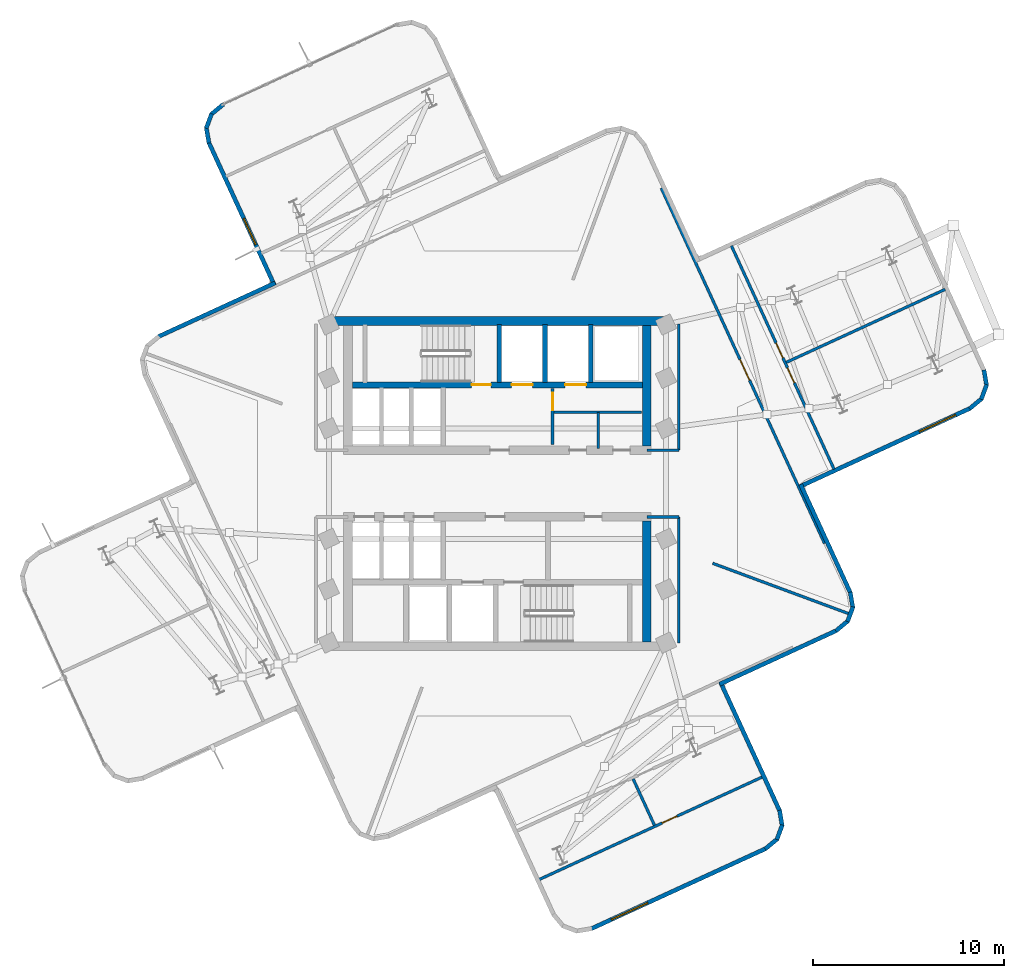
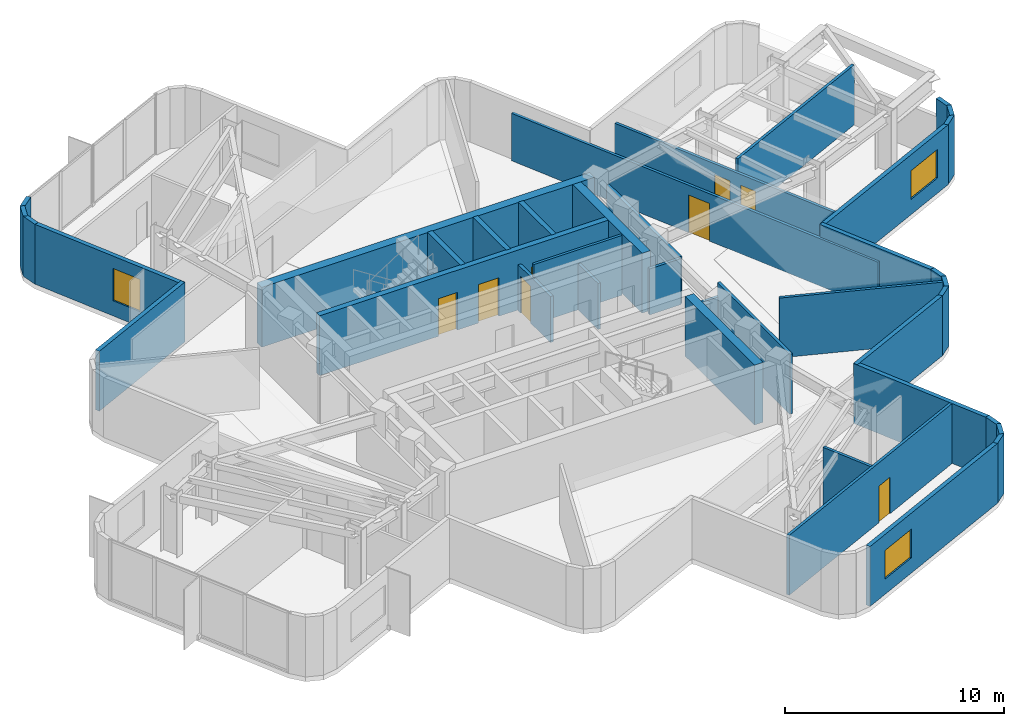
# One storey, part 7 of 11: 39 walls, 8 doors, 3 windows, 11 openings.
"""IFC4 building model written with IfcOpenShell, lengths in metres."""

from ifc_helpers import new_model, si_unit, direction, frame, frame_2d, origin, place, context, subcontext, project, spatial, rectangle, extrude, material, layer, layer_set, type_object, element, fill, save


model = new_model("IFC4")

# Units and contexts
model_context = context("Model", 3, precision=1e-05, world=origin(), true_north=direction((0.0, 1.0)))
body_context = subcontext(model_context, "Body", "Model", "MODEL_VIEW")
ifc_project = project(units=[si_unit("LENGTHUNIT", "METRE"), si_unit("AREAUNIT", "SQUARE_METRE"), si_unit("VOLUMEUNIT", "CUBIC_METRE"), si_unit("PLANEANGLEUNIT", "RADIAN"), si_unit("MASSUNIT", "GRAM", prefix="KILO")], contexts=[model_context])

# Site, building, storey
site_placement = place(None, origin())
site = spatial("IfcSite", under=ifc_project, at=site_placement, CompositionType="ELEMENT")
building_placement = place(site_placement, origin())
building = spatial("IfcBuilding", under=site, at=building_placement, Name="Solmarez Civic Tower", CompositionType="ELEMENT")
storey_placement = place(building_placement, frame((0.0, 0.0, 184.679931640625)))
storey = spatial("IfcBuildingStorey", under=building, at=storey_placement, Name="L49", CompositionType="ELEMENT", Elevation=184.679931640625)

# Walls
ifc_material_1 = material(Name="Concrete C50/60", Category="concrete")
ifc_layer_1 = layer(ifc_material_1, 0.449951171875)
ifc_layer_set_1 = layer_set([ifc_layer_1], Name="Concrete C50/60")
wall_type_1 = type_object("IfcWallType", Name="WALL-CORE-450", PredefinedType="SHEAR", material=ifc_layer_set_1)
wall_1_placement = place(storey_placement, frame((-8.780029296875, 8.534912109375, 0.0), z_axis=(0.0, 0.0, 1.0), x_axis=(1.0, 0.0, 0.0)))
element("IfcWall", 1, at=wall_1_placement, inside=storey, type_object=wall_type_1, Name="L49 Split-Core Structural Wall NCW-N-L49", PredefinedType="SHEAR", context=body_context, shape_type="SweptSolid", body=[
    extrude(rectangle(XDim=17.56005859375, YDim=0.449951171875, at=frame_2d((8.780029296875, 0.0))), origin(), (0.0, 0.0, 1.0), 3.340087890625),
])
for number, where, z_axis, x_axis, name in (
    (2, (7.844970703125, 8.31005859375, 0.0), (0.0, 0.0, 1.0), (0.0, -1.0, 0.0), "L49 Split-Core Structural Wall NCW-E-L49"),
    (3, (7.844970703125, -1.97509765625, 0.0), (0.0, 0.0, 1.0), (0.0, -1.0, 0.0), "L49 Split-Core Structural Wall SCW-E-L49"),
):
    element("IfcWall", number, at=place(storey_placement, frame(where, z_axis=z_axis, x_axis=x_axis)), inside=storey, type_object=wall_type_1, Name=name, PredefinedType="SHEAR", context=body_context, shape_type="SweptSolid", body=[
        extrude(rectangle(XDim=6.3349609375, YDim=0.449951171875, at=frame_2d((3.16748046875, 0.0))), origin(), (0.0, 0.0, 1.0), 3.340087890625),
    ])
ifc_material_2 = material(Name="Precast concrete C40/50", Category="concrete")
ifc_layer_2 = layer(ifc_material_2, 0.219970703125)
ifc_layer_set_2 = layer_set([ifc_layer_2], Name="Precast concrete C40/50")
wall_type_2 = type_object("IfcWallType", Name="WALL-EXT-220", PredefinedType="SOLIDWALL", material=ifc_layer_set_2)
wall_2_placement = place(storey_placement, frame((-17.805908203125, 7.7099609375, 0.0), z_axis=(0.0, 0.0, 1.0), x_axis=(0.908646468859, 0.417566275734, 0.0)))
element("IfcWall", 4, at=wall_2_placement, inside=storey, type_object=wall_type_2, Name="L49 Exterior Precast Wall 17", PredefinedType="SOLIDWALL", context=body_context, shape_type="SweptSolid", body=[
    extrude(rectangle(XDim=6.75830078125, YDim=0.219970703125, at=frame_2d((3.379150390625, 0.0))), origin(), (0.0, 0.0, 1.0), 3.340087890625),
])

# Wall, opening, window
wall_3_placement = place(storey_placement, frame((-11.7080078125, 10.4150390625, 0.0), z_axis=(0.0, 0.0, 1.0), x_axis=(-0.417525901293, 0.908665021748, 0.0)))
wall_3 = element("IfcWall", 5, at=wall_3_placement, inside=storey, type_object=wall_type_2, Name="L49 Exterior Precast Wall 20", PredefinedType="SOLIDWALL", context=body_context, shape_type="SweptSolid", body=[
    extrude(rectangle(XDim=8.258056640625, YDim=0.219970703125, at=frame_2d((4.12890625, 0.0))), origin(), (0.0, 0.0, 1.0), 3.340087890625),
])
opening_1_placement = place(wall_3_placement, frame((2.35009765625, 0.0, 0.85009765625)))
opening_1 = element("IfcOpeningElement", 6, at=opening_1_placement, cuts=wall_3, Name="Opening W-13", PredefinedType="OPENING", context=body_context, shape_type="SweptSolid", body=[
    extrude(rectangle(XDim=1.5, YDim=1.800048828125, at=frame_2d((0.75, 0.89990234375))), frame((0.0, 0.119873046875, 0.0), z_axis=(0.0, -1.0, 0.0), x_axis=(1.0, 0.0, 0.0)), (0.0, 0.0, 1.0), 0.239990234375),
])
ifc_material_3 = material(Name="Solar Control Bronze-Tinted Insulating Glass", Category="glass")
window_type_1 = type_object("IfcWindowType", Name="WIN-1500X1800", PartitioningType="SINGLE_PANEL", PredefinedType="WINDOW", material=ifc_material_3)
window_1_placement = place(opening_1_placement, origin())
window_1 = element("IfcWindow", 7, at=window_1_placement, inside=storey, type_object=window_type_1, Name="L49 Exterior Facade Window 20", OverallHeight=1.800048828125, OverallWidth=1.5, PartitioningType="SINGLE_PANEL", PredefinedType="WINDOW", context=body_context, shape_type="SweptSolid", body=[
    extrude(rectangle(XDim=1.5, YDim=1.800048828125, at=frame_2d((0.75, 0.89990234375))), frame((0.0, 0.030029296875, 0.0), z_axis=(0.0, -1.0, 0.0), x_axis=(1.0, 0.0, 0.0)), (0.0, 0.0, 1.0), 0.06005859375),
])
fill(opening_1, window_1)

# Walls
wall_4_placement = place(storey_placement, frame((-15.14208984375, 17.87109375, 0.0), z_axis=(0.0, 0.0, 1.0), x_axis=(-0.167575597201, 0.985859228908, 0.0)))
element("IfcWall", 8, at=wall_4_placement, inside=storey, type_object=wall_type_2, Name="L49 Exterior Precast Wall 21", PredefinedType="SOLIDWALL", context=body_context, shape_type="SweptSolid", body=[
    extrude(rectangle(XDim=0.834716796875, YDim=0.219970703125, at=frame_2d((0.41748046875, 0.0))), origin(), (0.0, 0.0, 1.0), 3.340087890625),
])
wall_5_placement = place(storey_placement, frame((-15.287109375, 18.64599609375, 0.0), z_axis=(0.0, 0.0, 1.0), x_axis=(0.348051853522, 0.937475283546, 0.0)))
element("IfcWall", 9, at=wall_5_placement, inside=storey, type_object=wall_type_2, Name="L49 Exterior Precast Wall 22", PredefinedType="SOLIDWALL", context=body_context, shape_type="SweptSolid", body=[
    extrude(rectangle(XDim=0.8193359375, YDim=0.219970703125, at=frame_2d((0.40966796875, 0.0))), origin(), (0.0, 0.0, 1.0), 3.340087890625),
])
wall_6_placement = place(storey_placement, frame((-15.030029296875, 19.375, 0.0), z_axis=(0.0, 0.0, 1.0), x_axis=(0.770042109777, 0.637993063576, 0.0)))
element("IfcWall", 10, at=wall_6_placement, inside=storey, type_object=wall_type_2, Name="L49 Exterior Precast Wall 23", PredefinedType="SOLIDWALL", context=body_context, shape_type="SweptSolid", body=[
    extrude(rectangle(XDim=0.833740234375, YDim=0.219970703125, at=frame_2d((0.4169921875, 0.0))), origin(), (0.0, 0.0, 1.0), 3.340087890625),
])
wall_7_placement = place(storey_placement, frame((25.5380859375, 5.967041015625, 0.0), z_axis=(0.0, 0.0, 1.0), x_axis=(0.167575597201, -0.985859228908, 0.0)))
element("IfcWall", 11, at=wall_7_placement, inside=storey, type_object=wall_type_2, Name="L49 Exterior Precast Wall 43", PredefinedType="SOLIDWALL", context=body_context, shape_type="SweptSolid", body=[
    extrude(rectangle(XDim=0.834716796875, YDim=0.219970703125, at=frame_2d((0.41748046875, 0.0))), origin(), (0.0, 0.0, 1.0), 3.340087890625),
])
wall_8_placement = place(storey_placement, frame((25.68310546875, 5.19189453125, 0.0), z_axis=(0.0, 0.0, 1.0), x_axis=(-0.348538641681, -0.937294412261, 0.0)))
element("IfcWall", 12, at=wall_8_placement, inside=storey, type_object=wall_type_2, Name="L49 Exterior Precast Wall 44", PredefinedType="SOLIDWALL", context=body_context, shape_type="SweptSolid", body=[
    extrude(rectangle(XDim=0.818115234375, YDim=0.219970703125, at=frame_2d((0.4091796875, 0.0))), origin(), (0.0, 0.0, 1.0), 3.340087890625),
])
wall_9_placement = place(storey_placement, frame((25.426025390625, 4.464111328125, 0.0), z_axis=(0.0, 0.0, 1.0), x_axis=(-0.769323077261, -0.638859924235, 0.0)))
element("IfcWall", 13, at=wall_9_placement, inside=storey, type_object=wall_type_2, Name="L49 Exterior Precast Wall 45", PredefinedType="SOLIDWALL", context=body_context, shape_type="SweptSolid", body=[
    extrude(rectangle(XDim=0.834716796875, YDim=0.219970703125, at=frame_2d((0.41748046875, 0.0))), origin(), (0.0, 0.0, 1.0), 3.340087890625),
])

# Wall, opening, window
wall_10_placement = place(storey_placement, frame((24.825927734375, 3.95703125, 0.0), z_axis=(0.0, 0.0, 1.0), x_axis=(-0.908672019386, -0.41751067194, 0.0)))
wall_10 = element("IfcWall", 14, at=wall_10_placement, inside=storey, type_object=wall_type_2, Name="L49 Exterior Precast Wall 46", PredefinedType="SOLIDWALL", context=body_context, shape_type="SweptSolid", body=[
    extrude(rectangle(XDim=9.8583984375, YDim=0.219970703125, at=frame_2d((4.92919921875, 0.0))), origin(), (0.0, 0.0, 1.0), 3.340087890625),
])
opening_2_placement = place(wall_10_placement, frame((0.85009765625, 0.0, 0.85009765625)))
opening_2 = element("IfcOpeningElement", 15, at=opening_2_placement, cuts=wall_10, Name="Opening W-11", PredefinedType="OPENING", context=body_context, shape_type="SweptSolid", body=[
    extrude(rectangle(XDim=2.10009765625, YDim=1.60009765625, at=frame_2d((1.050048828125, 0.800048828125))), frame((0.0, 0.119873046875, 0.0), z_axis=(0.0, -1.0, 0.0), x_axis=(1.0, 0.0, 0.0)), (0.0, 0.0, 1.0), 0.239990234375),
])
window_type_2 = type_object("IfcWindowType", Name="WIN-2100X1600", PartitioningType="SINGLE_PANEL", PredefinedType="WINDOW", material=ifc_material_3)
window_2_placement = place(opening_2_placement, origin())
window_2 = element("IfcWindow", 16, at=window_2_placement, inside=storey, type_object=window_type_2, Name="L49 Exterior Facade Window 46", OverallHeight=1.60009765625, OverallWidth=2.10009765625, PartitioningType="SINGLE_PANEL", PredefinedType="WINDOW", context=body_context, shape_type="SweptSolid", body=[
    extrude(rectangle(XDim=2.10009765625, YDim=1.60009765625, at=frame_2d((1.050048828125, 0.800048828125))), frame((0.0, 0.030029296875, 0.0), z_axis=(0.0, -1.0, 0.0), x_axis=(1.0, 0.0, 0.0)), (0.0, 0.0, 1.0), 0.06005859375),
])
fill(opening_2, window_2)

# Walls
wall_11_placement = place(storey_placement, frame((15.910888671875, -0.0419921875, 0.0), z_axis=(0.0, 0.0, 1.0), x_axis=(0.417479344719, -0.908686412759, 0.0)))
element("IfcWall", 17, at=wall_11_placement, inside=storey, type_object=wall_type_2, Name="L49 Exterior Precast Wall 49", PredefinedType="SOLIDWALL", context=body_context, shape_type="SweptSolid", body=[
    extrude(rectangle(XDim=6.2783203125, YDim=0.219970703125, at=frame_2d((3.13916015625, 0.0))), origin(), (0.0, 0.0, 1.0), 3.340087890625),
])
wall_12_placement = place(storey_placement, frame((18.51806640625, -5.698974609375, 0.0), z_axis=(0.0, 0.0, 1.0), x_axis=(0.167382556682, -0.985892022342, 0.0)))
element("IfcWall", 18, at=wall_12_placement, inside=storey, type_object=wall_type_2, Name="L49 Exterior Precast Wall 50", PredefinedType="SOLIDWALL", context=body_context, shape_type="SweptSolid", body=[
    extrude(rectangle(XDim=0.835693359375, YDim=0.219970703125, at=frame_2d((0.41796875, 0.0))), origin(), (0.0, 0.0, 1.0), 3.340087890625),
])
wall_13_placement = place(storey_placement, frame((18.6630859375, -6.47509765625, 0.0), z_axis=(0.0, 0.0, 1.0), x_axis=(-0.348538641681, -0.937294412261, 0.0)))
element("IfcWall", 19, at=wall_13_placement, inside=storey, type_object=wall_type_2, Name="L49 Exterior Precast Wall 51", PredefinedType="SOLIDWALL", context=body_context, shape_type="SweptSolid", body=[
    extrude(rectangle(XDim=0.818115234375, YDim=0.219970703125, at=frame_2d((0.4091796875, 0.0))), origin(), (0.0, 0.0, 1.0), 3.340087890625),
])
wall_14_placement = place(storey_placement, frame((18.406005859375, -7.202880859375, 0.0), z_axis=(0.0, 0.0, 1.0), x_axis=(-0.769323077261, -0.638859924235, 0.0)))
element("IfcWall", 20, at=wall_14_placement, inside=storey, type_object=wall_type_2, Name="L49 Exterior Precast Wall 52", PredefinedType="SOLIDWALL", context=body_context, shape_type="SweptSolid", body=[
    extrude(rectangle(XDim=0.834716796875, YDim=0.219970703125, at=frame_2d((0.41748046875, 0.0))), origin(), (0.0, 0.0, 1.0), 3.340087890625),
])
wall_15_placement = place(storey_placement, frame((17.805908203125, -7.7099609375, 0.0), z_axis=(0.0, 0.0, 1.0), x_axis=(-0.908646468859, -0.417566275734, 0.0)))
element("IfcWall", 21, at=wall_15_placement, inside=storey, type_object=wall_type_2, Name="L49 Exterior Precast Wall 53", PredefinedType="SOLIDWALL", context=body_context, shape_type="SweptSolid", body=[
    extrude(rectangle(XDim=6.75830078125, YDim=0.219970703125, at=frame_2d((3.379150390625, 0.0))), origin(), (0.0, 0.0, 1.0), 3.340087890625),
])
wall_16_placement = place(storey_placement, frame((11.7080078125, -10.4150390625, 0.0), z_axis=(0.0, 0.0, 1.0), x_axis=(0.417535966584, -0.908660396743, 0.0)))
element("IfcWall", 22, at=wall_16_placement, inside=storey, type_object=wall_type_2, Name="L49 Exterior Precast Wall 56", PredefinedType="SOLIDWALL", context=body_context, shape_type="SweptSolid", body=[
    extrude(rectangle(XDim=7.4580078125, YDim=0.219970703125, at=frame_2d((3.72900390625, 0.0))), origin(), (0.0, 0.0, 1.0), 3.340087890625),
])
wall_17_placement = place(storey_placement, frame((14.80810546875, -17.14404296875, 0.0), z_axis=(0.0, 0.0, 1.0), x_axis=(0.167575597201, -0.985859228908, 0.0)))
element("IfcWall", 23, at=wall_17_placement, inside=storey, type_object=wall_type_2, Name="L49 Exterior Precast Wall 57", PredefinedType="SOLIDWALL", context=body_context, shape_type="SweptSolid", body=[
    extrude(rectangle(XDim=0.834716796875, YDim=0.219970703125, at=frame_2d((0.41748046875, 0.0))), origin(), (0.0, 0.0, 1.0), 3.340087890625),
])
wall_18_placement = place(storey_placement, frame((14.952880859375, -17.9189453125, 0.0), z_axis=(0.0, 0.0, 1.0), x_axis=(-0.347789921671, -0.937572488069, 0.0)))
element("IfcWall", 24, at=wall_18_placement, inside=storey, type_object=wall_type_2, Name="L49 Exterior Precast Wall 58", PredefinedType="SOLIDWALL", context=body_context, shape_type="SweptSolid", body=[
    extrude(rectangle(XDim=0.819091796875, YDim=0.219970703125, at=frame_2d((0.40966796875, 0.0))), origin(), (0.0, 0.0, 1.0), 3.340087890625),
])
wall_19_placement = place(storey_placement, frame((14.696044921875, -18.64794921875, 0.0), z_axis=(0.0, 0.0, 1.0), x_axis=(-0.770042109777, -0.637993063576, 0.0)))
element("IfcWall", 25, at=wall_19_placement, inside=storey, type_object=wall_type_2, Name="L49 Exterior Precast Wall 59", PredefinedType="SOLIDWALL", context=body_context, shape_type="SweptSolid", body=[
    extrude(rectangle(XDim=0.833740234375, YDim=0.219970703125, at=frame_2d((0.4169921875, 0.0))), origin(), (0.0, 0.0, 1.0), 3.340087890625),
])

# Wall, opening, window
wall_20_placement = place(storey_placement, frame((14.095947265625, -19.154052734375, 0.0), z_axis=(0.0, 0.0, 1.0), x_axis=(-0.90868873868, -0.417474282076, 0.0)))
wall_20 = element("IfcWall", 26, at=wall_20_placement, inside=storey, type_object=wall_type_2, Name="L49 Exterior Precast Wall 60", PredefinedType="SOLIDWALL", context=body_context, shape_type="SweptSolid", body=[
    extrude(rectangle(XDim=10.101318359375, YDim=0.219970703125, at=frame_2d((5.05078125, 0.0))), origin(), (0.0, 0.0, 1.0), 3.340087890625),
])
opening_3_placement = place(wall_20_placement, frame((6.8291015625, 0.0, 0.85009765625)))
opening_3 = element("IfcOpeningElement", 27, at=opening_3_placement, cuts=wall_20, Name="Opening W-11", PredefinedType="OPENING", context=body_context, shape_type="SweptSolid", body=[
    extrude(rectangle(XDim=2.10009765625, YDim=1.60009765625, at=frame_2d((1.050048828125, 0.800048828125))), frame((0.0, 0.119873046875, 0.0), z_axis=(0.0, -1.0, 0.0), x_axis=(1.0, 0.0, 0.0)), (0.0, 0.0, 1.0), 0.239990234375),
])
window_3_placement = place(opening_3_placement, origin())
window_3 = element("IfcWindow", 28, at=window_3_placement, inside=storey, type_object=window_type_2, Name="L49 Exterior Facade Window 60", OverallHeight=1.60009765625, OverallWidth=2.10009765625, PartitioningType="SINGLE_PANEL", PredefinedType="WINDOW", context=body_context, shape_type="SweptSolid", body=[
    extrude(rectangle(XDim=2.10009765625, YDim=1.60009765625, at=frame_2d((1.050048828125, 0.800048828125))), frame((0.0, 0.030029296875, 0.0), z_axis=(0.0, -1.0, 0.0), x_axis=(1.0, 0.0, 0.0)), (0.0, 0.0, 1.0), 0.06005859375),
])
fill(opening_3, window_3)

# Walls
ifc_material_4 = material(Name="Gypsum Board Acoustic Steel-Stud Partition", Category="steel")
ifc_layer_3 = layer(ifc_material_4, 0.14990234375)
ifc_layer_set_3 = layer_set([ifc_layer_3], Name="Gypsum Board Acoustic Steel-Stud Partition")
wall_type_3 = type_object("IfcWallType", Name="WALL-INT-FIRE-150", PredefinedType="PARTITIONING", material=ifc_layer_set_3)
wall_21_placement = place(storey_placement, frame((9.52001953125, 1.75, 0.0), z_axis=(0.0, 0.0, 1.0), x_axis=(0.0, 1.0, 0.0)))
element("IfcWall", 29, at=wall_21_placement, inside=storey, type_object=wall_type_3, Name="L49 Interior Partition CHW-L49-EN1", PredefinedType="PARTITIONING", context=body_context, shape_type="SweptSolid", body=[
    extrude(rectangle(XDim=6.6298828125, YDim=0.14990234375, at=frame_2d((3.31494140625, 0.0))), origin(), (0.0, 0.0, 1.0), 2.64404296875),
])
wall_22_placement = place(storey_placement, frame((7.85009765625, 1.75, 0.0), z_axis=(0.0, 0.0, 1.0), x_axis=(1.0, 0.0, 0.0)))
element("IfcWall", 30, at=wall_22_placement, inside=storey, type_object=wall_type_3, Name="L49 Interior Partition CHW-L49-EN3", PredefinedType="PARTITIONING", context=body_context, shape_type="SweptSolid", body=[
    extrude(rectangle(XDim=1.669921875, YDim=0.14990234375, at=frame_2d((0.8349609375, 0.0))), origin(), (0.0, 0.0, 1.0), 2.570068359375),
])
wall_23_placement = place(storey_placement, frame((9.52001953125, -8.3798828125, 0.0), z_axis=(0.0, 0.0, 1.0), x_axis=(0.0, 1.0, 0.0)))
element("IfcWall", 31, at=wall_23_placement, inside=storey, type_object=wall_type_3, Name="L49 Interior Partition CHW-L49-ES1", PredefinedType="PARTITIONING", context=body_context, shape_type="SweptSolid", body=[
    extrude(rectangle(XDim=6.6298828125, YDim=0.14990234375, at=frame_2d((3.31494140625, 0.0))), origin(), (0.0, 0.0, 1.0), 3.340087890625),
])
wall_24_placement = place(storey_placement, frame((7.85009765625, -1.75, 0.0), z_axis=(0.0, 0.0, 1.0), x_axis=(1.0, 0.0, 0.0)))
element("IfcWall", 32, at=wall_24_placement, inside=storey, type_object=wall_type_3, Name="L49 Interior Partition CHW-L49-ES3", PredefinedType="PARTITIONING", context=body_context, shape_type="SweptSolid", body=[
    extrude(rectangle(XDim=1.669921875, YDim=0.14990234375, at=frame_2d((0.8349609375, 0.0))), origin(), (0.0, 0.0, 1.0), 2.570068359375),
])
ifc_layer_4 = layer(ifc_material_4, 0.14501953125)
ifc_layer_set_4 = layer_set([ifc_layer_4], Name="Gypsum Board Acoustic Steel-Stud Partition")
wall_type_4 = type_object("IfcWallType", Name="WALL-INT-PART-150", PredefinedType="PARTITIONING", material=ifc_layer_set_4)
wall_25_placement = place(storey_placement, frame((11.300048828125, -4.18505859375, 0.0), z_axis=(0.0, 0.0, 1.0), x_axis=(0.937797421925, -0.347182942311, 0.0)))
element("IfcWall", 33, at=wall_25_placement, inside=storey, type_object=wall_type_4, Name="L49 Interior Partition PT-L49-QDIV-4", PredefinedType="PARTITIONING", context=body_context, shape_type="SweptSolid", body=[
    extrude(rectangle(XDim=7.6240234375, YDim=0.14501953125, at=frame_2d((3.81201171875, 0.0))), origin(), (0.0, 0.0, 1.0), 3.340087890625),
])

# Wall, opening, door
wall_26_placement = place(storey_placement, frame((8.60009765625, 15.508056640625, 0.0), z_axis=(0.0, 0.0, 1.0), x_axis=(0.41757132443, -0.908644148726, 0.0)))
wall_26 = element("IfcWall", 34, at=wall_26_placement, inside=storey, type_object=wall_type_4, Name="L49 Interior Partition PT-L49-E-ENT", PredefinedType="PARTITIONING", context=body_context, shape_type="SweptSolid", body=[
    extrude(rectangle(XDim=20.520751953125, YDim=0.14501953125, at=frame_2d((10.26025390625, 0.0))), origin(), (0.0, 0.0, 1.0), 2.64404296875),
])
opening_4_placement = place(wall_26_placement, frame((9.89990234375, 0.0, 0.0)))
opening_4 = element("IfcOpeningElement", 35, at=opening_4_placement, cuts=wall_26, Name="Opening D-11", PredefinedType="OPENING", context=body_context, shape_type="SweptSolid", body=[
    extrude(rectangle(XDim=1.199951171875, YDim=2.10009765625, at=frame_2d((0.60009765625, 1.050048828125))), frame((0.0, 0.08251953125, 0.0), z_axis=(0.0, -1.0, 0.0), x_axis=(1.0, 0.0, 0.0)), (0.0, 0.0, 1.0), 0.1650390625),
])
ifc_material_5 = material(Name="Glazed-Vision Acoustic Chamber Door", Category="wood")
door_type_1 = type_object("IfcDoorType", Name="DOOR-INT-1200", OperationType="NOTDEFINED", PredefinedType="DOOR", material=ifc_material_5)
door_1_placement = place(opening_4_placement, origin())
door_1 = element("IfcDoor", 36, at=door_1_placement, inside=storey, type_object=door_type_1, Name="L49 Tribunal Chamber Public Exhibition Library First East Door", OperationType="SINGLE_SWING_LEFT", OverallHeight=2.10009765625, OverallWidth=1.199951171875, PredefinedType="DOOR", context=body_context, shape_type="SweptSolid", body=[
    extrude(rectangle(XDim=1.199951171875, YDim=2.10009765625, at=frame_2d((0.60009765625, 1.050048828125))), frame((0.0, 0.02490234375, 0.0), z_axis=(0.0, -1.0, 0.0), x_axis=(1.0, 0.0, 0.0)), (0.0, 0.0, 1.0), 0.050048828125),
])
fill(opening_4, door_1)

# Wall
wall_27_placement = place(storey_placement, frame((15.158935546875, 6.361083984375, 0.0), z_axis=(0.0, 0.0, 1.0), x_axis=(0.908662943876, 0.417530423355, 0.0)))
element("IfcWall", 37, at=wall_27_placement, inside=storey, type_object=wall_type_4, Name="L49 Interior Partition PT-L49-E-TSP", PredefinedType="PARTITIONING", context=body_context, shape_type="SweptSolid", body=[
    extrude(rectangle(XDim=9.184814453125, YDim=0.14501953125, at=frame_2d((4.59228515625, 0.0))), origin(), (0.0, 0.0, 1.0), 3.340087890625),
])

# Wall, openings, doors
wall_28_placement = place(storey_placement, frame((17.669921875, 0.751953125, 0.0), z_axis=(0.0, 0.0, 1.0), x_axis=(-0.41749974953, 0.908677037864, 0.0)))
wall_28 = element("IfcWall", 38, at=wall_28_placement, inside=storey, type_object=wall_type_4, Name="L49 Interior Partition PT-L49-E-SCUT", PredefinedType="PARTITIONING", context=body_context, shape_type="SweptSolid", body=[
    extrude(rectangle(XDim=12.909912109375, YDim=0.14501953125, at=frame_2d((6.455078125, 0.0))), origin(), (0.0, 0.0, 1.0), 2.64404296875),
])
opening_5_placement = place(wall_28_placement, frame((4.9951171875, 0.0, 0.0)))
opening_5 = element("IfcOpeningElement", 39, at=opening_5_placement, cuts=wall_28, Name="Opening D-14", PredefinedType="OPENING", context=body_context, shape_type="SweptSolid", body=[
    extrude(rectangle(XDim=0.860107421875, YDim=2.0400390625, at=frame_2d((0.43017578125, 1.02001953125))), frame((0.0, 0.08251953125, 0.0), z_axis=(0.0, -1.0, 0.0), x_axis=(1.0, 0.0, 0.0)), (0.0, 0.0, 1.0), 0.1650390625),
])
opening_6_placement = place(wall_28_placement, frame((6.43505859375, 0.0, 0.0)))
opening_6 = element("IfcOpeningElement", 40, at=opening_6_placement, cuts=wall_28, Name="Opening D-14", PredefinedType="OPENING", context=body_context, shape_type="SweptSolid", body=[
    extrude(rectangle(XDim=0.860107421875, YDim=2.0400390625, at=frame_2d((0.43017578125, 1.02001953125))), frame((0.0, 0.08251953125, 0.0), z_axis=(0.0, -1.0, 0.0), x_axis=(1.0, 0.0, 0.0)), (0.0, 0.0, 1.0), 0.1650390625),
])
ifc_material_6 = material(Name="Timber Storage and Pantry Door", Category="wood")
door_type_2 = type_object("IfcDoorType", Name="DOOR-INT-850", OperationType="NOTDEFINED", PredefinedType="DOOR", material=ifc_material_6)
door_2_placement = place(opening_5_placement, origin())
door_2 = element("IfcDoor", 41, at=door_2_placement, inside=storey, type_object=door_type_2, Name="L49 Press Study Room Third East Door", OperationType="SINGLE_SWING_RIGHT", OverallHeight=2.0400390625, OverallWidth=0.860107421875, PredefinedType="DOOR", context=body_context, shape_type="SweptSolid", body=[
    extrude(rectangle(XDim=0.860107421875, YDim=2.0400390625, at=frame_2d((0.43017578125, 1.02001953125))), frame((0.0, 0.02490234375, 0.0), z_axis=(0.0, -1.0, 0.0), x_axis=(1.0, 0.0, 0.0)), (0.0, 0.0, 1.0), 0.050048828125),
])
fill(opening_5, door_2)
door_3_placement = place(opening_6_placement, origin())
door_3 = element("IfcDoor", 42, at=door_3_placement, inside=storey, type_object=door_type_2, Name="L49 Civic Lecture Classroom Second East Door", OperationType="SINGLE_SWING_LEFT", OverallHeight=2.0400390625, OverallWidth=0.860107421875, PredefinedType="DOOR", context=body_context, shape_type="SweptSolid", body=[
    extrude(rectangle(XDim=0.860107421875, YDim=2.0400390625, at=frame_2d((0.43017578125, 1.02001953125))), frame((0.0, 0.02490234375, 0.0), z_axis=(0.0, -1.0, 0.0), x_axis=(1.0, 0.0, 0.0)), (0.0, 0.0, 1.0), 0.050048828125),
])
fill(opening_6, door_3)

# Wall
wall_29_placement = place(storey_placement, frame((7.123046875, -15.501953125, 0.0), z_axis=(0.0, 0.0, 1.0), x_axis=(0.417526601233, -0.90866470013, 0.0)))
element("IfcWall", 43, at=wall_29_placement, inside=storey, type_object=wall_type_4, Name="L49 Interior Partition PT-L49-S-MM", PredefinedType="PARTITIONING", context=body_context, shape_type="SweptSolid", body=[
    extrude(rectangle(XDim=2.679931640625, YDim=0.14501953125, at=frame_2d((1.33984375, 0.0))), origin(), (0.0, 0.0, 1.0), 3.340087890625),
])

# Wall, opening, door
wall_30_placement = place(storey_placement, frame((13.9150390625, -15.39599609375, 0.0), z_axis=(0.0, 0.0, 1.0), x_axis=(-0.908677037864, -0.41749974953, 0.0)))
wall_30 = element("IfcWall", 44, at=wall_30_placement, inside=storey, type_object=wall_type_4, Name="L49 Interior Partition PT-L49-S-S2", PredefinedType="PARTITIONING", context=body_context, shape_type="SweptSolid", body=[
    extrude(rectangle(XDim=12.909912109375, YDim=0.14501953125, at=frame_2d((6.455078125, 0.0))), origin(), (0.0, 0.0, 1.0), 3.340087890625),
])
opening_7_placement = place(wall_30_placement, frame((4.93994140625, 0.0, 0.0)))
opening_7 = element("IfcOpeningElement", 45, at=opening_7_placement, cuts=wall_30, Name="Opening D-14", PredefinedType="OPENING", context=body_context, shape_type="SweptSolid", body=[
    extrude(rectangle(XDim=0.860107421875, YDim=2.0400390625, at=frame_2d((0.43017578125, 1.02001953125))), frame((0.0, 0.08251953125, 0.0), z_axis=(0.0, -1.0, 0.0), x_axis=(1.0, 0.0, 0.0)), (0.0, 0.0, 1.0), 0.1650390625),
])
door_4_placement = place(opening_7_placement, origin())
door_4 = element("IfcDoor", 46, at=door_4_placement, inside=storey, type_object=door_type_2, Name="L49 Press Study Room Fourth South Door", OperationType="SINGLE_SWING_LEFT", OverallHeight=2.0400390625, OverallWidth=0.860107421875, PredefinedType="DOOR", context=body_context, shape_type="SweptSolid", body=[
    extrude(rectangle(XDim=0.860107421875, YDim=2.0400390625, at=frame_2d((0.43017578125, 1.02001953125))), frame((0.0, 0.02490234375, 0.0), z_axis=(0.0, -1.0, 0.0), x_axis=(1.0, 0.0, 0.0)), (0.0, 0.0, 1.0), 0.050048828125),
])
fill(opening_7, door_4)

ifc_layer_5 = layer(ifc_material_4, 0.159912109375)
ifc_layer_set_5 = layer_set([ifc_layer_5], Name="Gypsum Board Acoustic Steel-Stud Partition")
wall_type_5 = type_object("IfcWallType", Name="WALL-INT-SHAFT-160", PredefinedType="PARTITIONING", material=ifc_layer_set_5)
wall_31_placement = place(storey_placement, frame((2.89990234375, 2.0400390625, 0.0), z_axis=(0.0, 0.0, 1.0), x_axis=(0.0, 1.0, 0.0)))
wall_31 = element("IfcWall", 47, at=wall_31_placement, inside=storey, type_object=wall_type_5, Name="L49 Interior Partition SHW-NL2-L49", PredefinedType="PARTITIONING", context=body_context, shape_type="SweptSolid", body=[
    extrude(rectangle(XDim=2.93994140625, YDim=0.159912109375, at=frame_2d((1.469970703125, 0.0))), origin(), (0.0, 0.0, 1.0), 2.570068359375),
])
opening_8_placement = place(wall_31_placement, frame((1.820068359375, 0.0, 0.0)))
opening_8 = element("IfcOpeningElement", 48, at=opening_8_placement, cuts=wall_31, Name="Opening D-09", PredefinedType="OPENING", context=body_context, shape_type="SweptSolid", body=[
    extrude(rectangle(XDim=0.89990234375, YDim=2.06005859375, at=frame_2d((0.449951171875, 1.030029296875))), frame((0.0, 0.08984375, 0.0), z_axis=(0.0, -1.0, 0.0), x_axis=(1.0, 0.0, 0.0)), (0.0, 0.0, 1.0), 0.179931640625),
])
ifc_material_7 = material(Name="Fire-Rated Service Core Door", Category="wood")
door_type_3 = type_object("IfcDoorType", Name="DOOR-FD60-900", OperationType="NOTDEFINED", PredefinedType="DOOR", material=ifc_material_7)
door_5_placement = place(opening_8_placement, origin())
door_5 = element("IfcDoor", 49, at=door_5_placement, inside=storey, type_object=door_type_3, Name="L49 Service Lift Lobby Door", OperationType="SINGLE_SWING_LEFT", OverallHeight=2.06005859375, OverallWidth=0.89990234375, PredefinedType="DOOR", context=body_context, shape_type="SweptSolid", body=[
    extrude(rectangle(XDim=0.89990234375, YDim=2.06005859375, at=frame_2d((0.449951171875, 1.030029296875))), frame((0.0, 0.02490234375, 0.0), z_axis=(0.0, -1.0, 0.0), x_axis=(1.0, 0.0, 0.0)), (0.0, 0.0, 1.0), 0.050048828125),
])
fill(opening_8, door_5)

# Walls
ifc_layer_6 = layer(ifc_material_4, 0.137939453125)
ifc_layer_set_6 = layer_set([ifc_layer_6], Name="Gypsum Board Acoustic Steel-Stud Partition")
wall_type_6 = type_object("IfcWallType", Name="WALL-INT-WET-140", PredefinedType="PARTITIONING", material=ifc_layer_set_6)
wall_32_placement = place(storey_placement, frame((2.89990234375, 3.739990234375, 0.0), z_axis=(0.0, 0.0, 1.0), x_axis=(1.0, 0.0, 0.0)))
element("IfcWall", 50, at=wall_32_placement, inside=storey, type_object=wall_type_6, Name="L49 Interior Partition SHW-SVH-L49", PredefinedType="PARTITIONING", context=body_context, shape_type="SweptSolid", body=[
    extrude(rectangle(XDim=4.650146484375, YDim=0.137939453125, at=frame_2d((2.3251953125, 0.0))), origin(), (0.0, 0.0, 1.0), 3.340087890625),
])
wall_33_placement = place(storey_placement, frame((5.300048828125, 1.85009765625, 0.0), z_axis=(0.0, 0.0, 1.0), x_axis=(0.0, 1.0, 0.0)))
element("IfcWall", 51, at=wall_33_placement, inside=storey, type_object=wall_type_6, Name="L49 Interior Partition PT-NCSV-L49", PredefinedType="PARTITIONING", context=body_context, shape_type="SweptSolid", body=[
    extrude(rectangle(XDim=1.889892578125, YDim=0.137939453125, at=frame_2d((0.94482421875, 0.0))), origin(), (0.0, 0.0, 1.0), 2.570068359375),
])

# Wall, openings, doors
ifc_layer_7 = layer(ifc_material_1, 0.300048828125)
ifc_layer_set_7 = layer_set([ifc_layer_7], Name="Concrete C50/60")
wall_type_7 = type_object("IfcWallType", Name="WALL-STR-300", PredefinedType="SOLIDWALL", material=ifc_layer_set_7)
wall_34_placement = place(storey_placement, frame((7.6201171875, 5.179931640625, 0.0), z_axis=(0.0, 0.0, 1.0), x_axis=(-1.0, 0.0, 0.0)))
wall_34 = element("IfcWall", 52, at=wall_34_placement, inside=storey, type_object=wall_type_7, Name="L49 Split-Core Structural Wall NCW-M-L49", PredefinedType="SOLIDWALL", context=body_context, shape_type="SweptSolid", body=[
    extrude(rectangle(XDim=15.240234375, YDim=0.300048828125, at=frame_2d((7.6201171875, 0.0))), origin(), (0.0, 0.0, 1.0), 3.340087890625),
])
opening_9_placement = place(wall_34_placement, frame((5.77001953125, 0.0, 0.0)))
opening_9 = element("IfcOpeningElement", 53, at=opening_9_placement, cuts=wall_34, Name="Opening LD-02", PredefinedType="OPENING", context=body_context, shape_type="SweptSolid", body=[
    extrude(rectangle(XDim=1.10009765625, YDim=2.14990234375, at=frame_2d((0.550048828125, 1.074951171875))), frame((0.0, 0.159912109375, 0.0), z_axis=(0.0, -1.0, 0.0), x_axis=(1.0, 0.0, 0.0)), (0.0, 0.0, 1.0), 0.320068359375),
])
opening_10_placement = place(wall_34_placement, frame((2.969970703125, 0.0, 0.0)))
opening_10 = element("IfcOpeningElement", 54, at=opening_10_placement, cuts=wall_34, Name="Opening LD-03", PredefinedType="OPENING", context=body_context, shape_type="SweptSolid", body=[
    extrude(rectangle(XDim=1.10009765625, YDim=2.14990234375, at=frame_2d((0.550048828125, 1.074951171875))), frame((0.0, 0.159912109375, 0.0), z_axis=(0.0, -1.0, 0.0), x_axis=(1.0, 0.0, 0.0)), (0.0, 0.0, 1.0), 0.320068359375),
])
opening_11_placement = place(wall_34_placement, frame((7.969970703125, 0.0, 0.0)))
opening_11 = element("IfcOpeningElement", 55, at=opening_11_placement, cuts=wall_34, Name="Opening D-05", PredefinedType="OPENING", context=body_context, shape_type="SweptSolid", body=[
    extrude(rectangle(XDim=1.0, YDim=2.10009765625, at=frame_2d((0.5, 1.050048828125))), frame((0.0, 0.159912109375, 0.0), z_axis=(0.0, -1.0, 0.0), x_axis=(1.0, 0.0, 0.0)), (0.0, 0.0, 1.0), 0.320068359375),
])
ifc_material_8 = material(Name="Fire-Rated Stairwell Exit Door", Category="wood")
door_type_4 = type_object("IfcDoorType", Name="DOOR-FD90-1000", OperationType="NOTDEFINED", PredefinedType="DOOR", material=ifc_material_8)
door_6_placement = place(opening_11_placement, origin())
door_6 = element("IfcDoor", 56, at=door_6_placement, inside=storey, type_object=door_type_4, Name="L49 North Exit Stair Door ST-1", OperationType="SINGLE_SWING_RIGHT", OverallHeight=2.10009765625, OverallWidth=1.0, PredefinedType="DOOR", context=body_context, shape_type="SweptSolid", body=[
    extrude(rectangle(XDim=1.0, YDim=2.10009765625, at=frame_2d((0.5, 1.050048828125))), frame((0.0, 0.02490234375, 0.0), z_axis=(0.0, -1.0, 0.0), x_axis=(1.0, 0.0, 0.0)), (0.0, 0.0, 1.0), 0.050048828125),
])
fill(opening_11, door_6)
ifc_material_9 = material(Name="Stainless Firefighting Lift Landing Sliding Door", Category="aluminium")
door_type_5 = type_object("IfcDoorType", Name="DOOR-LD-FF-1100", OperationType="DOUBLE_DOOR_SLIDING", PredefinedType="DOOR", material=ifc_material_9)
door_7_placement = place(opening_9_placement, origin())
door_7 = element("IfcDoor", 57, at=door_7_placement, inside=storey, type_object=door_type_5, Name="L49 Firefighting Lift Landing Door FFL-1", OperationType="DOUBLE_DOOR_SLIDING", OverallHeight=2.14990234375, OverallWidth=1.10009765625, PredefinedType="DOOR", context=body_context, shape_type="SweptSolid", body=[
    extrude(rectangle(XDim=1.10009765625, YDim=2.14990234375, at=frame_2d((0.550048828125, 1.074951171875))), frame((0.0, 0.02490234375, 0.0), z_axis=(0.0, -1.0, 0.0), x_axis=(1.0, 0.0, 0.0)), (0.0, 0.0, 1.0), 0.050048828125),
])
fill(opening_9, door_7)
ifc_material_10 = material(Name="Stainless Stretcher Lift Landing Sliding Door", Category="aluminium")
door_type_6 = type_object("IfcDoorType", Name="DOOR-LD-SV-1100", OperationType="DOUBLE_DOOR_SLIDING", PredefinedType="DOOR", material=ifc_material_10)
door_8_placement = place(opening_10_placement, origin())
door_8 = element("IfcDoor", 58, at=door_8_placement, inside=storey, type_object=door_type_6, Name="L49 Service Stretcher Lift Landing Door SVL-1", OperationType="DOUBLE_DOOR_SLIDING", OverallHeight=2.14990234375, OverallWidth=1.10009765625, PredefinedType="DOOR", context=body_context, shape_type="SweptSolid", body=[
    extrude(rectangle(XDim=1.10009765625, YDim=2.14990234375, at=frame_2d((0.550048828125, 1.074951171875))), frame((0.0, 0.02490234375, 0.0), z_axis=(0.0, -1.0, 0.0), x_axis=(1.0, 0.0, 0.0)), (0.0, 0.0, 1.0), 0.050048828125),
])
fill(opening_10, door_8)

# Walls
for number, where, z_axis, x_axis, name in (
    (59, (0.10009765625, 5.300048828125, 0.0), (0.0, 0.0, 1.0), (0.0, 1.0, 0.0), "L49 Split-Core Structural Wall SHW-N1-L49"),
    (60, (2.5, 5.300048828125, 0.0), (0.0, 0.0, 1.0), (0.0, 1.0, 0.0), "L49 Split-Core Structural Wall SHW-N2-L49"),
    (61, (4.89990234375, 5.300048828125, 0.0), (0.0, 0.0, 1.0), (0.0, 1.0, 0.0), "L49 Split-Core Structural Wall SHW-N3-L49"),
):
    element("IfcWall", number, at=place(storey_placement, frame(where, z_axis=z_axis, x_axis=x_axis)), inside=storey, type_object=wall_type_7, Name=name, PredefinedType="SOLIDWALL", context=body_context, shape_type="SweptSolid", body=[
        extrude(rectangle(XDim=3.0400390625, YDim=0.25, at=frame_2d((1.52001953125, 0.0))), origin(), (0.0, 0.0, 1.0), 3.340087890625),
    ])

save(model, "model.ifc")
